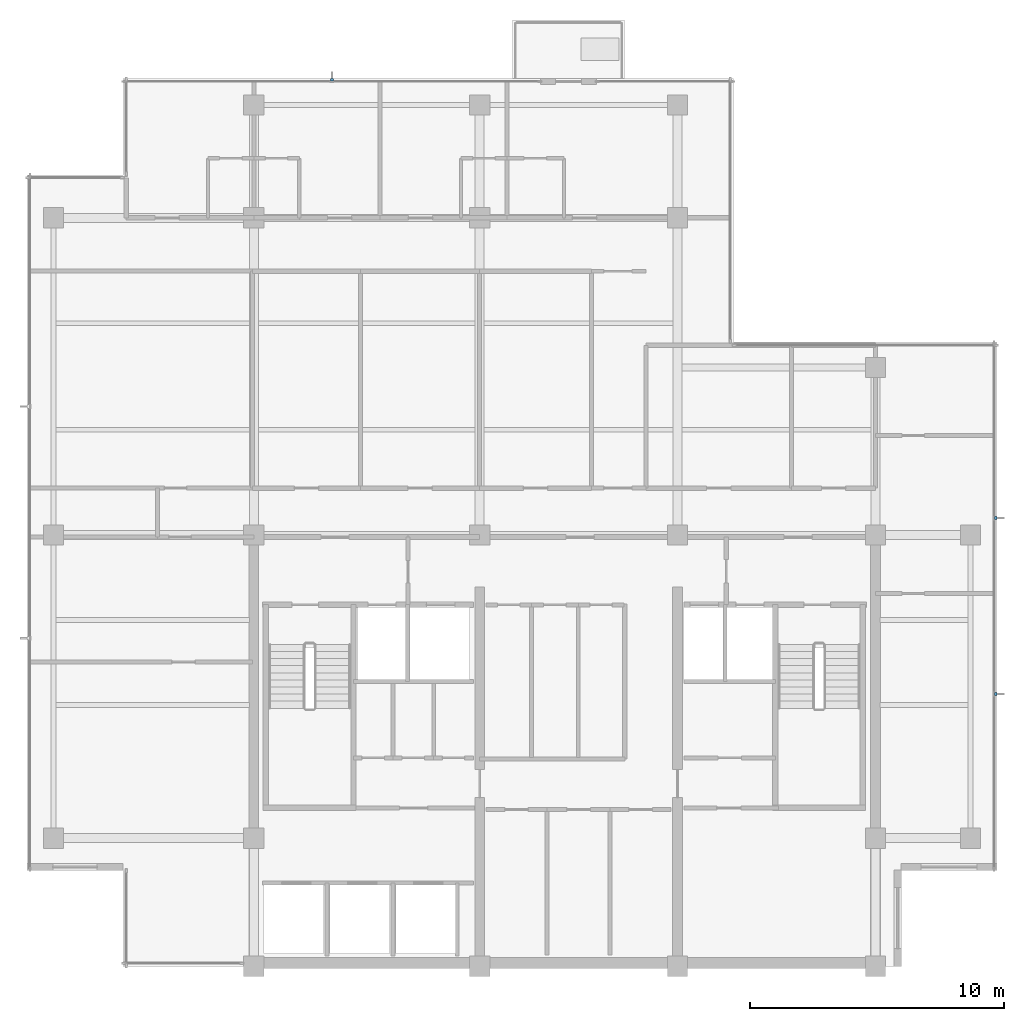
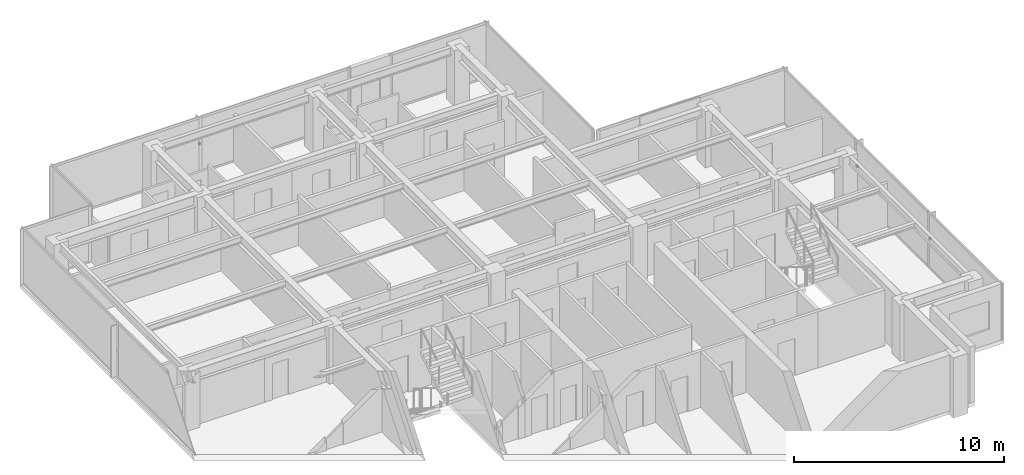
# One storey, part 11 of 12: 3 discrete accessories.
"""IFC4 building model written with IfcOpenShell, lengths in metres."""

from ifc_helpers import new_model, si_unit, direction, frame, origin, place, context, subcontext, project, spatial, polyline, outline, extrude, material, type_object, element, save


model = new_model("IFC4")

# Units and contexts
model_context = context("Model", 3, precision=1e-05, world=origin(), true_north=direction((0.0, 1.0)))
body_context = subcontext(model_context, "Body", "Model", "MODEL_VIEW")
ifc_project = project(units=[si_unit("LENGTHUNIT", "METRE"), si_unit("AREAUNIT", "SQUARE_METRE"), si_unit("VOLUMEUNIT", "CUBIC_METRE"), si_unit("PLANEANGLEUNIT", "RADIAN"), si_unit("MASSUNIT", "GRAM", prefix="KILO")], contexts=[model_context])

# Site, building, storey
site_placement = place(None, origin())
site = spatial("IfcSite", under=ifc_project, at=site_placement, CompositionType="ELEMENT")
building_placement = place(site_placement, origin())
building = spatial("IfcBuilding", under=site, at=building_placement, Name="Qalmaran Belvedere Hotel", CompositionType="ELEMENT")
storey_placement = place(building_placement, frame((0.0, 0.0, 252.89990234375)))
storey = spatial("IfcBuildingStorey", under=building, at=storey_placement, Name="L65", CompositionType="ELEMENT", Elevation=252.89990234375)

# Discrete accessories
ifc_material = material(Name="Stainless Steel 1.4401", Category="steel")
discrete_accessory_type = type_object("IfcDiscreteAccessoryType", Name="BRK-FIN-SS316", PredefinedType="BRACKET", material=ifc_material)
discrete_accessory_1_placement = place(storey_placement, frame((0.0, 0.0, 1.580078125)))
element("IfcDiscreteAccessory", 1, at=discrete_accessory_1_placement, inside=storey, type_object=discrete_accessory_type, Name="L65 Fin Bracket 1", PredefinedType="BRACKET", context=body_context, shape_type="SweptSolid", body=[
    extrude(outline(polyline([(49.4951171875, 14.17822265625), (49.58740234375, 14.17822265625), (49.58740234375, 14.288330078125), (49.4951171875, 14.288330078125), (49.4951171875, 14.17822265625)])), origin(), (0.0, 0.0, 1.0), 0.14013671875),
])
discrete_accessory_2_placement = place(storey_placement, frame((0.0, 0.0, 1.580078125)))
element("IfcDiscreteAccessory", 2, at=discrete_accessory_2_placement, inside=storey, type_object=discrete_accessory_type, Name="L65 Fin Bracket 2", PredefinedType="BRACKET", context=body_context, shape_type="SweptSolid", body=[
    extrude(outline(polyline([(49.4951171875, 21.11181640625), (49.58740234375, 21.11181640625), (49.58740234375, 21.2216796875), (49.4951171875, 21.2216796875), (49.4951171875, 21.11181640625)])), origin(), (0.0, 0.0, 1.0), 0.14013671875),
])
discrete_accessory_3_placement = place(storey_placement, frame((0.0, 0.0, 1.580078125)))
element("IfcDiscreteAccessory", 3, at=discrete_accessory_3_placement, inside=storey, type_object=discrete_accessory_type, Name="L65 Fin Bracket 1", PredefinedType="BRACKET", context=body_context, shape_type="SweptSolid", body=[
    extrude(outline(polyline([(23.429931640625, 38.39501953125), (23.429931640625, 38.487548828125), (23.320068359375, 38.487548828125), (23.320068359375, 38.39501953125), (23.429931640625, 38.39501953125)])), origin(), (0.0, 0.0, 1.0), 0.14013671875),
])

save(model, "model.ifc")
